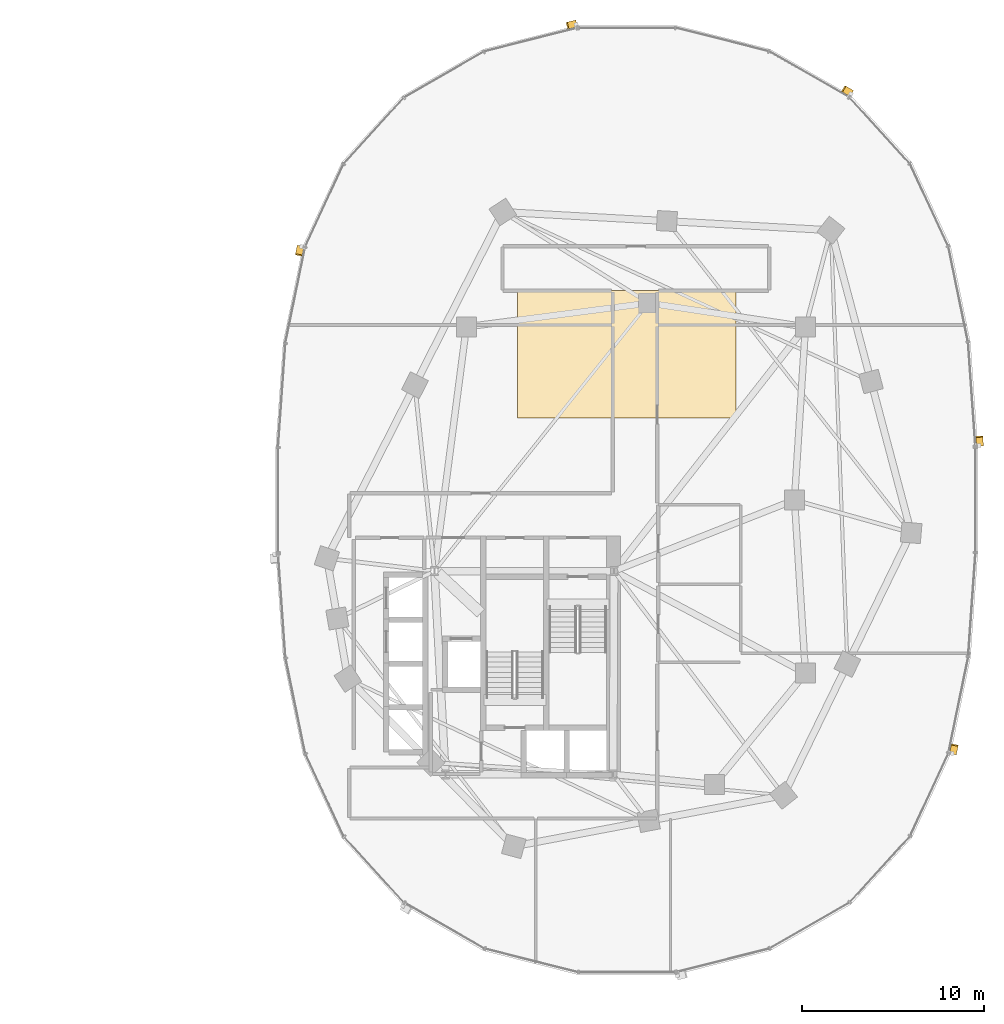
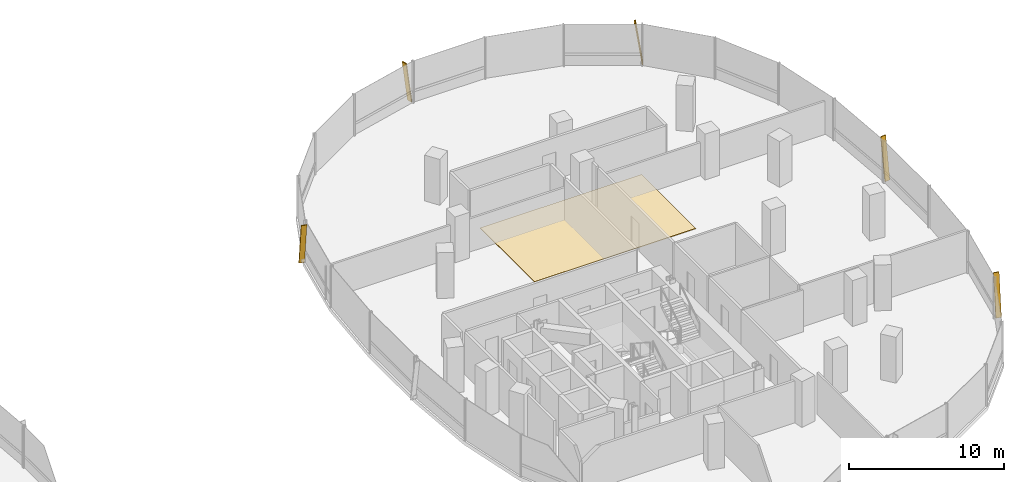
# One storey, part 21 of 21: 5 shading devices, 1 covering.
"""IFC4 building model written with IfcOpenShell, lengths in metres."""

import ifcopenshell
import ifcopenshell.guid

model = None  # the IFC model being written
_history = None  # IfcOwnerHistory: only IFC2X3 demands one
_inside = {}  # id of a spatial element -> (the spatial element, [elements in it])
_under = {}  # id of a project, library or spatial element -> (it, [spatial elements below it])
_declared = {}  # id of a project -> (the project, [libraries it declares])
_typed = {}  # id of a type object -> (the type object, [elements of that type])
_made_of = {}  # id of a material, layer set ... -> (it, [elements and type objects made of it])


def new_model(schema):
    """Start an empty IFC model of exactly this schema.

    Asked for "IFC4X3", IfcOpenShell would pick the latest addendum, in which some entities
    have other attributes; the version numbers below select the first issue.
    IFC2X3 requires an IfcOwnerHistory on every rooted entity: one is made here for all.
    """
    global model, _history
    if schema == "IFC4X3":
        model = ifcopenshell.file(schema_version=(4, 3, 0, 0))
    else:
        model = ifcopenshell.file(schema=schema)
    _inside.clear()
    _under.clear()
    _declared.clear()
    _typed.clear()
    _made_of.clear()
    _history = None
    if model.schema == "IFC2X3":
        org = make("IfcOrganization", Name="unknown")
        user = make(
            "IfcPersonAndOrganization",
            ThePerson=make("IfcPerson", FamilyName="unknown"),
            TheOrganization=org,
        )
        app = make(
            "IfcApplication",
            ApplicationDeveloper=org,
            Version="unknown",
            ApplicationFullName="unknown",
            ApplicationIdentifier="unknown",
        )
        _history = make(
            "IfcOwnerHistory",
            OwningUser=user,
            OwningApplication=app,
            ChangeAction="ADDED",
            CreationDate=0,
        )
    return model


def make(cls, **values):
    """One entity of the class cls with the attributes given. An attribute that is None is left unset."""
    return model.create_entity(
        cls, **{name: value for name, value in values.items() if value is not None}
    )


def rooted(cls, **values):
    """An entity with a GlobalId (a new one), such as an element, a storey or a relation."""
    return make(cls, GlobalId=ifcopenshell.guid.new(), OwnerHistory=_history, **values)


def si_unit(unit_type, name, prefix=None):
    """IfcSIUnit, for example si_unit("LENGTHUNIT", "METRE", prefix="MILLI")."""
    return make("IfcSIUnit", UnitType=unit_type, Prefix=prefix, Name=name)


def assignment(units):
    """IfcUnitAssignment: the units of a project."""
    return None if units is None else make("IfcUnitAssignment", Units=units)


def point(xyz):
    """IfcCartesianPoint."""
    return None if xyz is None else make("IfcCartesianPoint", Coordinates=xyz)


def direction(xyz):
    """IfcDirection."""
    return None if xyz is None else make("IfcDirection", DirectionRatios=xyz)


def frame(location, z_axis=None, x_axis=None):
    """IfcAxis2Placement3D, a coordinate frame: its origin and axes. An axis left out is left unset."""
    return make(
        "IfcAxis2Placement3D",
        Location=point(location),
        Axis=direction(z_axis),
        RefDirection=direction(x_axis),
    )


def frame_2d(location, x_axis=None):
    """IfcAxis2Placement2D, a coordinate frame in the plane: its origin and x axis."""
    return make(
        "IfcAxis2Placement2D", Location=point(location), RefDirection=direction(x_axis)
    )


def origin():
    """The frame at (0, 0, 0) with its axes left unset."""
    return frame((0.0, 0.0, 0.0))


def origin_2d():
    """The frame at (0, 0) in the plane with its x axis left unset."""
    return frame_2d((0.0, 0.0))


def place(relative_to, where):
    """IfcLocalPlacement: puts the frame where relative to a parent placement (None: the world)."""
    return make(
        "IfcLocalPlacement", PlacementRelTo=relative_to, RelativePlacement=where
    )


def context(
    kind, dimensions, precision=None, world=None, true_north=None, identifier=None
):
    """IfcGeometricRepresentationContext, for example the 3D "Model" context."""
    return make(
        "IfcGeometricRepresentationContext",
        ContextIdentifier=identifier,
        ContextType=kind,
        CoordinateSpaceDimension=dimensions,
        Precision=precision,
        WorldCoordinateSystem=world,
        TrueNorth=true_north,
    )


def subcontext(parent, identifier, kind, view, scale=None):
    """IfcGeometricRepresentationSubContext, for example "Body" below "Model"."""
    return make(
        "IfcGeometricRepresentationSubContext",
        ContextIdentifier=identifier,
        ContextType=kind,
        ParentContext=parent,
        TargetScale=scale,
        TargetView=view,
    )


def project(units=None, contexts=None):
    """IfcProject with its units and contexts."""
    return rooted(
        "IfcProject",
        Name="project",
        RepresentationContexts=contexts,
        UnitsInContext=assignment(units),
    )


def spatial(cls, under=None, at=None, **own):
    """A site, building, storey or space (cls), placed at a placement, below another one or the project."""
    s = rooted(cls, ObjectPlacement=at, **own)
    if under is not None:
        _under.setdefault(under.id(), (under, []))[1].append(s)
    return s


def polyline(points):
    """IfcPolyline through the points."""
    return make("IfcPolyline", Points=[point(p) for p in points])


def profile(cls, at=None, kind="AREA", **sizes):
    """A parametric profile (cls). Its sizes go by their IFC names, for example OverallWidth=200.0."""
    return make(cls, ProfileType=kind, Position=at, **sizes)


def rectangle(**sizes):
    """IfcRectangleProfileDef."""
    return profile("IfcRectangleProfileDef", **sizes)


def outline(outer, holes=None, kind="AREA"):
    """IfcArbitraryClosedProfileDef: a profile drawn as a closed curve; with holes, ...WithVoids."""
    if holes is None:
        return make("IfcArbitraryClosedProfileDef", ProfileType=kind, OuterCurve=outer)
    return make(
        "IfcArbitraryProfileDefWithVoids",
        ProfileType=kind,
        OuterCurve=outer,
        InnerCurves=holes,
    )


def extrude(swept, where, along, depth):
    """IfcExtrudedAreaSolid: the profile swept, set in the frame where, extruded along a direction by depth."""
    return make(
        "IfcExtrudedAreaSolid",
        SweptArea=swept,
        Position=where,
        ExtrudedDirection=direction(along),
        Depth=depth,
    )


def shape(context_of_items, identifier, shape_type, items):
    """IfcShapeRepresentation: the items that make up one representation, for example the "Body"."""
    return make(
        "IfcShapeRepresentation",
        ContextOfItems=context_of_items,
        RepresentationIdentifier=identifier,
        RepresentationType=shape_type,
        Items=items,
    )


def material(Name=None, Category=None):
    """IfcMaterial."""
    return make("IfcMaterial", Name=Name, Category=Category)


def layer(
    of_material, thickness, ventilated=None, Name=None, Category=None, Priority=None
):
    """IfcMaterialLayer: one layer of a wall or slab, of a material (None: an air gap)."""
    return make(
        "IfcMaterialLayer",
        Material=of_material,
        LayerThickness=thickness,
        IsVentilated=ventilated,
        Name=Name,
        Category=Category,
        Priority=Priority,
    )


def layer_set(layers, Name=None):
    """IfcMaterialLayerSet."""
    return make("IfcMaterialLayerSet", MaterialLayers=layers, LayerSetName=Name)


def material_profile(
    of_material, cross_section, Name=None, Category=None, Priority=None
):
    """IfcMaterialProfile: a cross section and its material."""
    return make(
        "IfcMaterialProfile",
        Name=Name,
        Material=of_material,
        Profile=cross_section,
        Priority=Priority,
        Category=Category,
    )


def profile_set(profiles, Name=None, composite=None):
    """IfcMaterialProfileSet."""
    return make(
        "IfcMaterialProfileSet",
        Name=Name,
        MaterialProfiles=profiles,
        CompositeProfile=composite,
    )


def made_of(thing, what):
    """Note that an element or type object is made of a material, layer set ...; save() writes the relation."""
    if what is not None:
        _made_of.setdefault(what.id(), (what, []))[1].append(thing)
    return thing


def type_object(cls, material=None, **own):
    """A type object (cls), such as IfcWallType, which elements share."""
    return made_of(rooted(cls, **own), material)


def element(
    cls,
    number,
    at=None,
    inside=None,
    cuts=None,
    type_object=None,
    material=None,
    context=None,
    identifier="Body",
    shape_type=None,
    held_by="IfcProductDefinitionShape",
    body=None,
    shapes=None,
    **own,
):
    """One element of the class cls, such as IfcWall. Its Tag is "e" and its number.

    at: its placement. inside: the storey or other place that contains it. cuts: it is an
    opening in that element (IfcRelVoidsElement). A single representation is given by context,
    identifier, shape_type and body (its items); several are given by shapes. held_by: the class
    of the entity that holds the representations. save() writes the other relations.
    """
    e = rooted(cls, Tag="e%d" % number, ObjectPlacement=at, **own)
    if body is not None:
        shapes = [shape(context, identifier, shape_type, body)]
    if shapes is not None:
        e.Representation = make(held_by, Representations=shapes)
    if inside is not None:
        _inside.setdefault(inside.id(), (inside, []))[1].append(e)
    if cuts is not None:
        rooted(
            "IfcRelVoidsElement", RelatingBuildingElement=cuts, RelatedOpeningElement=e
        )
    if type_object is not None:
        _typed.setdefault(type_object.id(), (type_object, []))[1].append(e)
    return made_of(e, material)


def aggregate(whole, parts):
    """IfcRelAggregates: a whole, such as a stair, and the parts it consists of."""
    return rooted("IfcRelAggregates", RelatingObject=whole, RelatedObjects=parts)


def save(model, path):
    """Write the relations noted so far, then the file.

    IfcRelAggregates (storeys below a building ...), IfcRelContainedInSpatialStructure (elements
    in a storey), IfcRelDefinesByType, IfcRelAssociatesMaterial and IfcRelDeclares: one each for
    every whole, place, type object, material and project.
    """
    for whole, parts in _under.values():
        aggregate(whole, parts)
    for where, things in _inside.values():
        rooted(
            "IfcRelContainedInSpatialStructure",
            RelatedElements=things,
            RelatingStructure=where,
        )
    for kind, things in _typed.values():
        rooted("IfcRelDefinesByType", RelatedObjects=things, RelatingType=kind)
    for what, things in _made_of.values():
        rooted("IfcRelAssociatesMaterial", RelatedObjects=things, RelatingMaterial=what)
    for by, libraries in _declared.values():
        rooted("IfcRelDeclares", RelatingContext=by, RelatedDefinitions=libraries)
    model.write(path)


model = new_model("IFC4")

# Units and contexts
model_context = context("Model", 3, precision=1e-05, world=origin(), true_north=direction((0.0, 1.0)))
body_context = subcontext(model_context, "Body", "Model", "MODEL_VIEW")
ifc_project = project(units=[si_unit("LENGTHUNIT", "METRE"), si_unit("AREAUNIT", "SQUARE_METRE"), si_unit("VOLUMEUNIT", "CUBIC_METRE"), si_unit("PLANEANGLEUNIT", "RADIAN"), si_unit("MASSUNIT", "GRAM", prefix="KILO"), si_unit("THERMODYNAMICTEMPERATUREUNIT", "KELVIN"), si_unit("POWERUNIT", "WATT")], contexts=[model_context])

# Site, building, storey
site_placement = place(None, origin())
site = spatial("IfcSite", under=ifc_project, at=site_placement, CompositionType="ELEMENT")
building_placement = place(site_placement, origin())
building = spatial("IfcBuilding", under=site, at=building_placement, Name="Cundina Bronze Exchange", CompositionType="ELEMENT")
storey_placement = place(building_placement, frame((0.0, 0.0, 103.39990234375)))
storey = spatial("IfcBuildingStorey", under=building, at=storey_placement, Name="L26", CompositionType="ELEMENT", Elevation=103.39990234375)

# Covering
ifc_material_1 = material(Name="Raised Access Steel-Cementitious Floor Panel 40mm", Category="steel")
ifc_layer = layer(ifc_material_1, 0.0400390625, Name="Raised Access Steel-Cementitious Floor Panel 40mm", Category="steel")
ifc_layer_set = layer_set([ifc_layer], Name="Raised Access Steel-Cementitious Floor Panel 40mm")
covering_type = type_object("IfcCoveringType", Name="COV-FLR-RAF40", PredefinedType="FLOORING", material=ifc_layer_set)
covering_placement = place(storey_placement, origin())
element("IfcCovering", 1, at=covering_placement, inside=storey, type_object=covering_type, Name="L26 E UFAD Raised Access Trading Floor", PredefinedType="FLOORING", context=body_context, shape_type="SweptSolid", body=[
    extrude(outline(polyline([(26.0, 4.5), (38.0, 4.5), (38.0, 11.5), (26.0, 11.5), (26.0, 4.5)])), origin(), (0.0, 0.0, 1.0), 0.0400390625),
])

# Shading devices
ifc_material_2 = material(Name="Anodised Bronze Aluminium 6063-T6", Category="aluminium")
ifc_material_profile = material_profile(ifc_material_2, rectangle(XDim=0.070068359375, YDim=0.3798828125, at=origin_2d()), Name="FIN70X380", Category="aluminium")
ifc_profile_set = profile_set([ifc_material_profile], Name="Anodised Bronze Aluminium 6063-T6")
shading_device_type = type_object("IfcShadingDeviceType", Name="SHD-FIN-BRZ380", PredefinedType="USERDEFINED", material=ifc_profile_set)
for number, where, z_axis, x_axis, name in (
    (2, (51.3740234375, 2.993896484375, 0.02001953125), (-0.010224545828, 0.145292278041, 0.989335945271), (0.069450050635, -0.986895284755, 0.145651595925), "L26 Diagonal Bronze Solar Fin 1"),
    (3, (44.314208984375, 22.314208984375, 0.02001953125), (-0.126324692219, 0.072534823274, 0.989333498649), (0.857958278167, -0.492634108109, 0.145668213594), "L26 Diagonal Bronze Solar Fin 5"),
    (4, (29.212646484375, 26.138427734375, 0.02001953125), (-0.141217047268, -0.035711761166, 0.989334329575), (0.95914051701, 0.242552848478, 0.145662570088), "L26 Diagonal Bronze Solar Fin 1"),
    (5, (14.10400390625, 13.911865234375, 0.02001953125), (-0.029413888538, -0.142698109128, 0.989329102378), (0.199728220342, 0.968958570224, 0.145698068578), "L26 Diagonal Bronze Solar Fin 5"),
    (6, (49.89599609375, -13.911865234375, 0.02001953125), (0.029413888538, 0.142698109128, 0.989329102378), (-0.199728220342, -0.968958570224, 0.145698068578), "L26 Diagonal Bronze Solar Fin 5"),
):
    element("IfcShadingDevice", number, at=place(storey_placement, frame(where, z_axis=z_axis, x_axis=x_axis)), inside=storey, type_object=shading_device_type, Name=name, ObjectType="FIN", PredefinedType="USERDEFINED", context=body_context, shape_type="SweptSolid", body=[
        extrude(rectangle(XDim=0.070068359375, YDim=0.3798828125, at=origin_2d()), origin(), (0.0, 0.0, 1.0), 3.295166015625),
    ])

save(model, "model.ifc")
